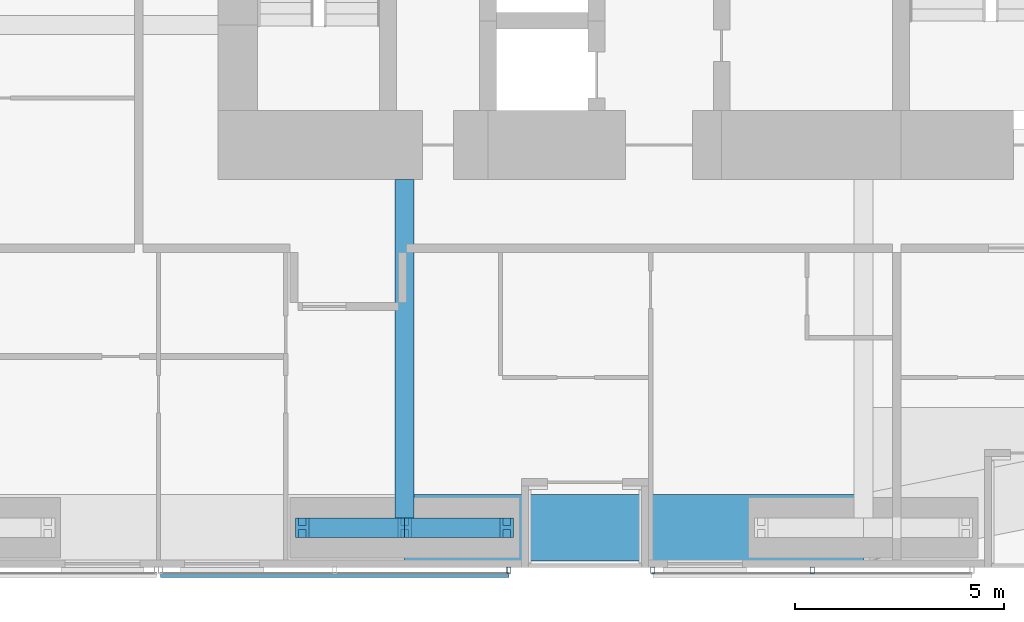
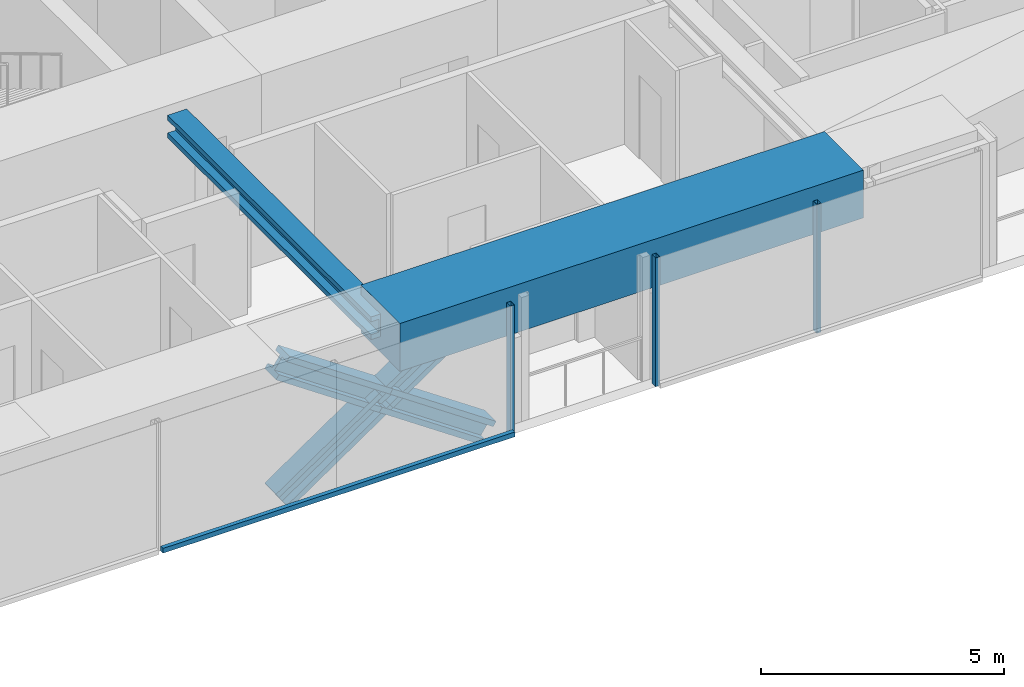
# One storey, part 5 of 24: 8 members, 2 beams, 2 elements without a shape of their own.
"""IFC4 building model written with IfcOpenShell, lengths in metres."""

from ifc_helpers import new_model, si_unit, direction, frame, origin, origin_2d, place, context, subcontext, project, spatial, rectangle, hollow_rectangle, i_section, extrude, material, material_profile, profile_set, type_object, element, aggregate, save


model = new_model("IFC4")

# Units and contexts
model_context = context("Model", 3, precision=1e-05, world=origin(), true_north=direction((0.0, 1.0)))
body_context = subcontext(model_context, "Body", "Model", "MODEL_VIEW")
ifc_project = project(units=[si_unit("LENGTHUNIT", "METRE"), si_unit("AREAUNIT", "SQUARE_METRE"), si_unit("VOLUMEUNIT", "CUBIC_METRE"), si_unit("PLANEANGLEUNIT", "RADIAN"), si_unit("MASSUNIT", "GRAM", prefix="KILO")], contexts=[model_context])

# Site, building, storey
site_placement = place(None, origin())
site = spatial("IfcSite", under=ifc_project, at=site_placement, CompositionType="ELEMENT")
building_placement = place(site_placement, origin())
building = spatial("IfcBuilding", under=site, at=building_placement, Name="Jalousie Tower", CompositionType="ELEMENT")
storey_placement = place(building_placement, frame((0.0, 0.0, 61.199951171875)))
storey = spatial("IfcBuildingStorey", under=building, at=storey_placement, Name="L16", CompositionType="ELEMENT", Elevation=61.199951171875)

# Beam
ifc_material_1 = material(Name="Steel ASTM A992 Grade 50", Category="steel")
ifc_material_profile_1 = material_profile(ifc_material_1, i_section(OverallWidth=0.45458984375, OverallDepth=0.569091796875, WebThickness=0.077880859375, FlangeThickness=0.124755859375, at=origin_2d()), Name="W14X730")
ifc_profile_set_1 = profile_set([ifc_material_profile_1], Name="Steel ASTM A992 Grade 50")
beam_type_1 = type_object("IfcBeamType", Name="LEAN COLLECTOR W14X730", PredefinedType="BEAM", material=ifc_profile_set_1)
beam_1_placement = place(storey_placement, frame((24.0, 0.949951171875, 2.825439453125), z_axis=(0.0, 1.0, 0.0), x_axis=(-1.0, 0.0, 0.0)))
element("IfcBeam", 1, at=beam_1_placement, inside=storey, type_object=beam_type_1, Name="Lean collector under L17", PredefinedType="BEAM", context=body_context, shape_type="SweptSolid", body=[
    extrude(i_section(OverallWidth=0.45458984375, OverallDepth=0.569091796875, WebThickness=0.077880859375, FlangeThickness=0.124755859375, at=origin_2d()), origin(), (0.0, 0.0, 1.0), 8.35009765625),
])

# Members
ifc_material_2 = material(Name="Steel ASTM A992 Grade 50", Category="steel")
ifc_material_profile_2 = material_profile(ifc_material_2, i_section(OverallWidth=0.472412109375, OverallDepth=0.5791015625, WebThickness=0.094970703125, FlangeThickness=0.1298828125, at=origin_2d()), Name="W14X808")
ifc_profile_set_2 = profile_set([ifc_material_profile_2], Name="Steel ASTM A992 Grade 50")
member_type_1 = type_object("IfcMemberType", Name="PERIMETER BRACE W14X808", PredefinedType="BRACE", material=ifc_profile_set_2)
for number, where, z_axis, x_axis, name in (
    (2, (21.550048828125, 0.949951171875, -0.599853515625), (0.825539243753, 0.0, 0.564344714713), (0.0, 1.0, 0.0), "Perimeter brace 03 L16 part 1"),
    (3, (24.0, 0.949951171875, 1.074951171875), (0.825500916831, 0.0, 0.564400776321), (0.0, 1.0, 0.0), "Perimeter brace 03 L16 part 2"),
    (4, (26.449951171875, 0.949951171875, -0.599853515625), (-0.825539243753, 0.0, 0.564344714713), (0.0, -1.0, 0.0), "Perimeter brace 03 L16 part 3"),
    (5, (24.0, 0.949951171875, 1.074951171875), (-0.825500916831, 0.0, 0.564400776321), (0.0, -1.0, 0.0), "Perimeter brace 03 L16 part 4"),
):
    element("IfcMember", number, at=place(storey_placement, frame(where, z_axis=z_axis, x_axis=x_axis)), inside=storey, type_object=member_type_1, Name=name, PredefinedType="BRACE", context=body_context, shape_type="SweptSolid", body=[
        extrude(i_section(OverallWidth=0.472412109375, OverallDepth=0.5791015625, WebThickness=0.094970703125, FlangeThickness=0.1298828125, at=origin_2d()), origin(), (0.0, 0.0, 1.0), 2.9677734375),
    ])

# Beam
ifc_material_3 = material(Name="Concrete f'c 40 MPa", Category="concrete")
ifc_material_profile_3 = material_profile(ifc_material_3, rectangle(XDim=1.60009765625, YDim=1.199951171875, at=origin_2d()), Name="RC 1600x1200")
ifc_profile_set_3 = profile_set([ifc_material_profile_3], Name="Concrete f'c 40 MPa")
beam_type_2 = type_object("IfcBeamType", Name="RC BEAM 1600x1200", PredefinedType="BEAM", material=ifc_profile_set_3)
beam_2_placement = place(storey_placement, frame((24.0, 0.949951171875, 2.75), z_axis=(1.0, 0.0, 0.0), x_axis=(0.0, 1.0, 0.0)))
element("IfcBeam", 6, at=beam_2_placement, inside=storey, type_object=beam_type_2, Name="Edge band beam 03-04 under L17", PredefinedType="BEAM", context=body_context, shape_type="SweptSolid", body=[
    extrude(rectangle(XDim=1.60009765625, YDim=1.199951171875, at=origin_2d()), origin(), (0.0, 0.0, 1.0), 11.0),
])

# Curtain wall, member
ifc_material_4 = material(Name="Perforated aluminium sheet", Category="aluminium")
curtain_wall_type = type_object("IfcCurtainWallType", Name="SOLAR SCREEN SS-1", PredefinedType="USERDEFINED", material=ifc_material_4)
curtain_wall_1_placement = place(storey_placement, origin())
curtain_wall_1 = element("IfcCurtainWall", 7, at=curtain_wall_1_placement, inside=storey, type_object=curtain_wall_type, Name="Solar screen L16", ObjectType="SOLAR SCREEN SS-1", PredefinedType="USERDEFINED")
ifc_material_5 = material(Name="Steel ASTM A500 Grade C", Category="steel")
ifc_material_profile_4 = material_profile(ifc_material_5, hollow_rectangle(XDim=0.1015625, YDim=0.15234375, WallThickness=0.00634765625, at=origin_2d()), Name="HSS6X4X1/4")
ifc_profile_set_4 = profile_set([ifc_material_profile_4], Name="Steel ASTM A500 Grade C")
member_type_2 = type_object("IfcMemberType", Name="SOLAR SCREEN SS-1 MULLION", PredefinedType="MULLION", material=ifc_profile_set_4)
member_1_placement = place(storey_placement, frame((26.5, -0.0712890625, -0.119873046875), z_axis=(0.0, 0.0, 1.0), x_axis=(1.0, 0.0, 0.0)))
member_1 = element("IfcMember", 8, at=member_1_placement, type_object=member_type_2, Name="SS1 post 3", PredefinedType="MULLION", context=body_context, shape_type="SweptSolid", body=[
    extrude(hollow_rectangle(XDim=0.1015625, YDim=0.15234375, WallThickness=0.00634765625, at=origin_2d()), origin(), (0.0, 0.0, 1.0), 3.22998046875),
])

# Curtain wall, members
curtain_wall_2_placement = place(storey_placement, origin())
curtain_wall_2 = element("IfcCurtainWall", 9, at=curtain_wall_2_placement, inside=storey, type_object=curtain_wall_type, Name="Solar screen L16", ObjectType="SOLAR SCREEN SS-1", PredefinedType="USERDEFINED")
member_2_placement = place(storey_placement, frame((29.949951171875, -0.0712890625, -0.119873046875), z_axis=(0.0, 0.0, 1.0), x_axis=(1.0, 0.0, 0.0)))
member_2 = element("IfcMember", 10, at=member_2_placement, type_object=member_type_2, Name="SS1 post 1", PredefinedType="MULLION", context=body_context, shape_type="SweptSolid", body=[
    extrude(hollow_rectangle(XDim=0.1015625, YDim=0.15234375, WallThickness=0.00634765625, at=origin_2d()), origin(), (0.0, 0.0, 1.0), 3.22998046875),
])
member_3_placement = place(storey_placement, frame((33.77490234375, -0.0712890625, -0.119873046875), z_axis=(0.0, 0.0, 1.0), x_axis=(1.0, 0.0, 0.0)))
member_3 = element("IfcMember", 11, at=member_3_placement, type_object=member_type_2, Name="SS1 post 2", PredefinedType="MULLION", context=body_context, shape_type="SweptSolid", body=[
    extrude(hollow_rectangle(XDim=0.1015625, YDim=0.15234375, WallThickness=0.00634765625, at=origin_2d()), origin(), (0.0, 0.0, 1.0), 3.22998046875),
])
aggregate(curtain_wall_2, [member_2, member_3])

# Member
ifc_material_6 = material(Name="Extruded aluminium screen rail", Category="aluminium")
ifc_material_profile_5 = material_profile(ifc_material_6, rectangle(XDim=0.1015625, YDim=0.1201171875, at=origin_2d()), Name="RAIL 102x120")
ifc_profile_set_5 = profile_set([ifc_material_profile_5], Name="Extruded aluminium screen rail")
member_type_3 = type_object("IfcMemberType", Name="SOLAR SCREEN SS-1 TRANSOM", PredefinedType="USERDEFINED", material=ifc_profile_set_5)
member_4_placement = place(storey_placement, frame((18.14990234375, -0.1982421875, -0.06005859375), z_axis=(1.0, 0.0, 0.0), x_axis=(0.0, 1.0, 0.0)))
member_4 = element("IfcMember", 12, at=member_4_placement, type_object=member_type_3, Name="SS1 rail", ObjectType="TRANSOM", PredefinedType="USERDEFINED", context=body_context, shape_type="SweptSolid", body=[
    extrude(rectangle(XDim=0.1015625, YDim=0.1201171875, at=origin_2d()), origin(), (0.0, 0.0, 1.0), 8.35009765625),
])

aggregate(curtain_wall_1, [member_1, member_4])

save(model, "model.ifc")
